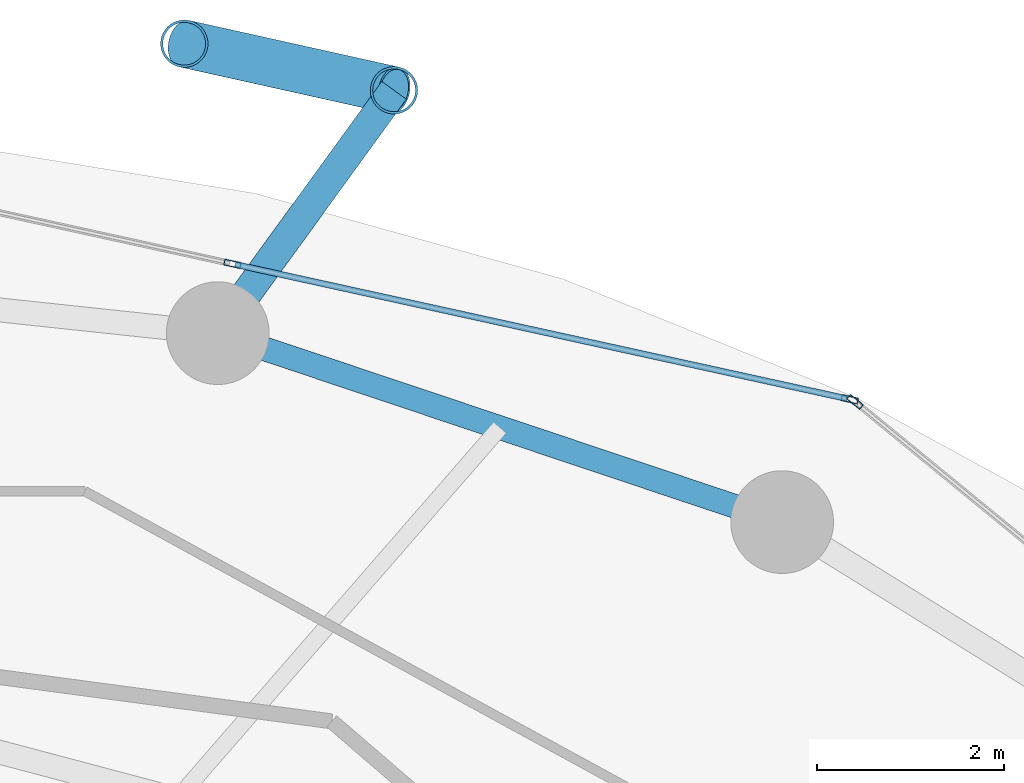
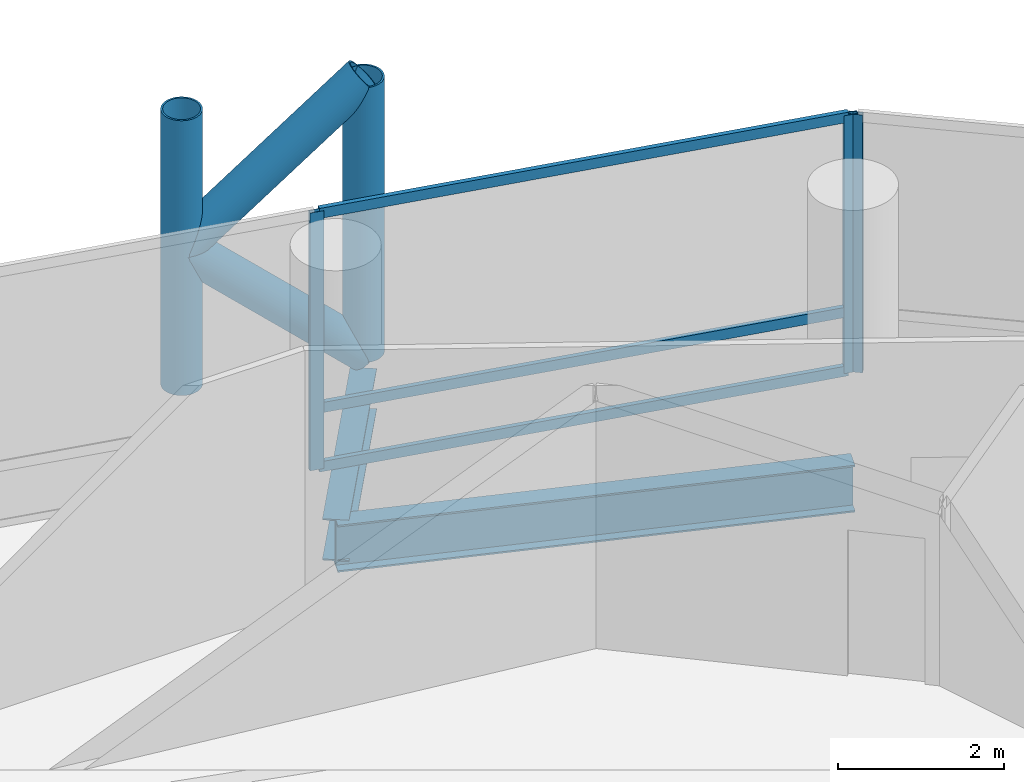
# One storey, part 18 of 25: 10 members, 2 beams, 2 elements without a shape of their own.
"""IFC4 building model written with IfcOpenShell, lengths in metres."""

from ifc_helpers import new_model, si_unit, direction, frame, origin, origin_2d, place, context, subcontext, project, spatial, hollow_rectangle, hollow_circle, i_section, extrude, material, layer, layer_set, material_profile, profile_set, type_object, element, aggregate, save


model = new_model("IFC4")

# Units and contexts
model_context = context("Model", 3, precision=1e-05, world=origin(), true_north=direction((0.0, 1.0)))
body_context = subcontext(model_context, "Body", "Model", "MODEL_VIEW")
ifc_project = project(units=[si_unit("LENGTHUNIT", "METRE"), si_unit("AREAUNIT", "SQUARE_METRE"), si_unit("VOLUMEUNIT", "CUBIC_METRE"), si_unit("PLANEANGLEUNIT", "RADIAN"), si_unit("MASSUNIT", "GRAM", prefix="KILO")], contexts=[model_context])

# Site, building, storey
site_placement = place(None, origin())
site = spatial("IfcSite", under=ifc_project, at=site_placement, CompositionType="ELEMENT")
building_placement = place(site_placement, origin())
building = spatial("IfcBuilding", under=site, at=building_placement, Name="Nuhasar Tower", CompositionType="ELEMENT")
storey_placement = place(building_placement, frame((0.0, 0.0, 57.449951171875)))
storey = spatial("IfcBuildingStorey", under=building, at=storey_placement, Name="L13", CompositionType="ELEMENT", Elevation=57.449951171875)

# Beams
ifc_material_1 = material(Name="Steel S355", Category="steel")
ifc_material_profile_1 = material_profile(ifc_material_1, i_section(OverallWidth=0.256103515625, OverallDepth=0.693115234375, WebThickness=0.014404296875, FlangeThickness=0.023681640625, at=origin_2d()), Name="W27X114")
ifc_profile_set_1 = profile_set([ifc_material_profile_1], Name="Steel S355")
beam_type_1 = type_object("IfcBeamType", Name="BM-RING-W27X114", PredefinedType="SPANDREL", material=ifc_profile_set_1)
beam_1_placement = place(storey_placement, frame((51.52490234375, 44.3369140625, -0.595947265625), z_axis=(-0.948249435708, 0.317526388949, 0.0), x_axis=(-0.317526388949, -0.948249435708, 0.0)))
element("IfcBeam", 1, at=beam_1_placement, inside=storey, type_object=beam_type_1, Name="L13 Perimeter Ring Spandrel 05", PredefinedType="SPANDREL", context=body_context, shape_type="SweptSolid", body=[
    extrude(i_section(OverallWidth=0.256103515625, OverallDepth=0.693115234375, WebThickness=0.014404296875, FlangeThickness=0.023681640625, at=origin_2d()), origin(), (0.0, 0.0, 1.0), 6.371826171875),
])
ifc_material_profile_2 = material_profile(ifc_material_1, i_section(OverallWidth=0.323974609375, OverallDepth=0.611083984375, WebThickness=0.0126953125, FlangeThickness=0.01904296875, at=origin_2d()), Name="W24X104")
ifc_profile_set_2 = profile_set([ifc_material_profile_2], Name="Steel S355")
beam_type_2 = type_object("IfcBeamType", Name="BM-TIE-W24X104", PredefinedType="BEAM", material=ifc_profile_set_2)
beam_2_placement = place(storey_placement, frame((45.48291015625, 46.360107421875, -0.554931640625), z_axis=(0.587439442414, 0.809268127073, 0.0), x_axis=(-0.809268127073, 0.587439442414, 0.0)))
element("IfcBeam", 2, at=beam_2_placement, inside=storey, type_object=beam_type_2, Name="L13 Exoskeleton Node Tie Beam 03", PredefinedType="BEAM", context=body_context, shape_type="SweptSolid", body=[
    extrude(i_section(OverallWidth=0.323974609375, OverallDepth=0.611083984375, WebThickness=0.0126953125, FlangeThickness=0.01904296875, at=origin_2d()), origin(), (0.0, 0.0, 1.0), 3.212646484375),
])

# Curtain wall, member
ifc_material_2 = material(Name="Aluminium 6063-T6", Category="aluminium")
ifc_layer = layer(ifc_material_2, 0.199951171875)
ifc_layer_set = layer_set([ifc_layer], Name="Aluminium 6063-T6")
curtain_wall_type = type_object("IfcCurtainWallType", Name="CW-Z1-OFF", PredefinedType="NOTDEFINED", material=ifc_layer_set)
curtain_wall_1_placement = place(storey_placement, origin())
curtain_wall_1 = element("IfcCurtainWall", 3, at=curtain_wall_1_placement, inside=storey, type_object=curtain_wall_type, Name="L13 Unitised Curtain Wall 02", PredefinedType="NOTDEFINED")
ifc_material_profile_3 = material_profile(ifc_material_2, hollow_rectangle(XDim=0.06494140625, YDim=0.179931640625, WallThickness=0.0048828125, at=origin_2d()), Name="CWM-2")
ifc_profile_set_3 = profile_set([ifc_material_profile_3], Name="Aluminium 6063-T6")
member_type_1 = type_object("IfcMemberType", Name="CW-MUL-S2", PredefinedType="MULLION", material=ifc_profile_set_3)
member_1_placement = place(storey_placement, frame((52.30517578125, 45.62451171875, 0.0), z_axis=(0.0, 0.0, 1.0), x_axis=(-0.633744593376, -0.773542364946, 0.0)))
member_1 = element("IfcMember", 4, at=member_1_placement, type_object=member_type_1, Name="CW-Z1 mullion 2", PredefinedType="MULLION", context=body_context, shape_type="SweptSolid", body=[
    extrude(hollow_rectangle(XDim=0.06494140625, YDim=0.179931640625, WallThickness=0.0048828125, at=origin_2d()), origin(), (0.0, 0.0, 1.0), 3.800048828125),
])
aggregate(curtain_wall_1, [member_1])

# Curtain wall, members
curtain_wall_2_placement = place(storey_placement, origin())
curtain_wall_2 = element("IfcCurtainWall", 5, at=curtain_wall_2_placement, inside=storey, type_object=curtain_wall_type, Name="L13 Unitised Curtain Wall 03", PredefinedType="NOTDEFINED")
member_2_placement = place(storey_placement, frame((52.248291015625, 45.65185546875, 0.0), z_axis=(0.0, 0.0, 1.0), x_axis=(-0.214398737637, -0.976746221544, 0.0)))
member_2 = element("IfcMember", 6, at=member_2_placement, type_object=member_type_1, Name="CW-Z1 mullion 1", PredefinedType="MULLION", context=body_context, shape_type="SweptSolid", body=[
    extrude(hollow_rectangle(XDim=0.06494140625, YDim=0.179931640625, WallThickness=0.0048828125, at=origin_2d()), origin(), (0.0, 0.0, 1.0), 3.800048828125),
])
member_3_placement = place(storey_placement, frame((45.639892578125, 47.1025390625, 0.0), z_axis=(0.0, 0.0, 1.0), x_axis=(-0.214398737637, -0.976746221544, 0.0)))
member_3 = element("IfcMember", 7, at=member_3_placement, type_object=member_type_1, Name="CW-Z1 mullion 2", PredefinedType="MULLION", context=body_context, shape_type="SweptSolid", body=[
    extrude(hollow_rectangle(XDim=0.06494140625, YDim=0.179931640625, WallThickness=0.0048828125, at=origin_2d()), origin(), (0.0, 0.0, 1.0), 3.800048828125),
])
ifc_material_profile_4 = material_profile(ifc_material_2, hollow_rectangle(XDim=0.06494140625, YDim=0.14990234375, WallThickness=0.00439453125, at=origin_2d()), Name="CWT-2")
ifc_profile_set_4 = profile_set([ifc_material_profile_4], Name="Aluminium 6063-T6")
member_type_2 = type_object("IfcMemberType", Name="CW-TRN-S2", PredefinedType="USERDEFINED", material=ifc_profile_set_4)
member_4_placement = place(storey_placement, frame((52.216552734375, 45.658935546875, 0.032470703125), z_axis=(-0.976749553792, 0.214383556196, 0.0), x_axis=(-0.214383556196, -0.976749553792, 0.0)))
member_4 = element("IfcMember", 8, at=member_4_placement, type_object=member_type_2, Name="CW-Z1 transom 1.1", ObjectType="TRANSOM", PredefinedType="USERDEFINED", context=body_context, shape_type="SweptSolid", body=[
    extrude(hollow_rectangle(XDim=0.06494140625, YDim=0.14990234375, WallThickness=0.00439453125, at=origin_2d()), origin(), (0.0, 0.0, 1.0), 6.70068359375),
])
member_5_placement = place(storey_placement, frame((52.216552734375, 45.658935546875, 0.900146484375), z_axis=(-0.976749553792, 0.214383556196, 0.0), x_axis=(-0.214383556196, -0.976749553792, 0.0)))
member_5 = element("IfcMember", 9, at=member_5_placement, type_object=member_type_2, Name="CW-Z1 transom 1.2", ObjectType="TRANSOM", PredefinedType="USERDEFINED", context=body_context, shape_type="SweptSolid", body=[
    extrude(hollow_rectangle(XDim=0.06494140625, YDim=0.14990234375, WallThickness=0.00439453125, at=origin_2d()), origin(), (0.0, 0.0, 1.0), 6.70068359375),
])
member_6_placement = place(storey_placement, frame((52.216552734375, 45.658935546875, 3.767578125), z_axis=(-0.976749553792, 0.214383556196, 0.0), x_axis=(-0.214383556196, -0.976749553792, 0.0)))
member_6 = element("IfcMember", 10, at=member_6_placement, type_object=member_type_2, Name="CW-Z1 transom 1.3", ObjectType="TRANSOM", PredefinedType="USERDEFINED", context=body_context, shape_type="SweptSolid", body=[
    extrude(hollow_rectangle(XDim=0.06494140625, YDim=0.14990234375, WallThickness=0.00439453125, at=origin_2d()), origin(), (0.0, 0.0, 1.0), 6.70068359375),
])
aggregate(curtain_wall_2, [member_2, member_3, member_4, member_5, member_6])

# Members
ifc_material_3 = material(Name="Steel S460", Category="steel")
ifc_material_profile_5 = material_profile(ifc_material_3, hollow_circle(Radius=0.25390625, WallThickness=0.025390625, at=origin_2d()), Name="HSS508X25.4")
ifc_profile_set_5 = profile_set([ifc_material_profile_5], Name="Steel S460")
member_type_3 = type_object("IfcMemberType", Name="EXO-BRONZE-508", PredefinedType="BRACE", material=ifc_profile_set_5)
for number, where, z_axis, x_axis, name in (
    (11, (47.3701171875, 48.9599609375, 0.0), (0.0, 0.0, 1.0), (1.0, 0.0, 0.0), "L13 Exoskeleton Chord Column EC-03A"),
    (12, (45.1240234375, 49.458984375, 0.0), (0.0, 0.0, 1.0), (1.0, 0.0, 0.0), "L13 Exoskeleton Chord Column EC-03B"),
):
    element("IfcMember", number, at=place(storey_placement, frame(where, z_axis=z_axis, x_axis=x_axis)), inside=storey, type_object=member_type_3, Name=name, PredefinedType="BRACE", context=body_context, shape_type="SweptSolid", body=[
        extrude(hollow_circle(Radius=0.25390625, WallThickness=0.025390625, at=origin_2d()), origin(), (0.0, 0.0, 1.0), 4.050048828125),
    ])
member_7_placement = place(storey_placement, frame((47.3701171875, 48.9599609375, 0.0), z_axis=(-0.732782908552, 0.162805246204, 0.660699372439), x_axis=(-0.216885517571, -0.97619704582, 0.0)))
element("IfcMember", 13, at=member_7_placement, inside=storey, type_object=member_type_3, Name="L13 Bronze Diagrid Brace W1-03", PredefinedType="BRACE", context=body_context, shape_type="SweptSolid", body=[
    extrude(hollow_circle(Radius=0.25390625, WallThickness=0.025390625, at=origin_2d()), origin(), (0.0, 0.0, 1.0), 3.065185546875),
])
member_8_placement = place(storey_placement, frame((45.1240234375, 49.458984375, 2.025146484375), z_axis=(0.732821471909, -0.162813813976, 0.660654487828), x_axis=(0.216885517571, 0.97619704582, 0.0)))
element("IfcMember", 14, at=member_8_placement, inside=storey, type_object=member_type_3, Name="L13 Bronze Diagrid Brace W2-03", PredefinedType="BRACE", context=body_context, shape_type="SweptSolid", body=[
    extrude(hollow_circle(Radius=0.25390625, WallThickness=0.025390625, at=origin_2d()), origin(), (0.0, 0.0, 1.0), 3.06494140625),
])

save(model, "model.ifc")
